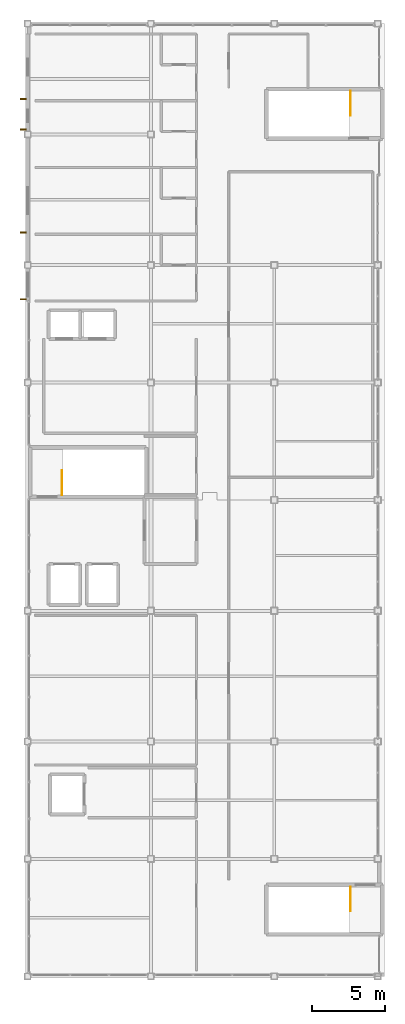
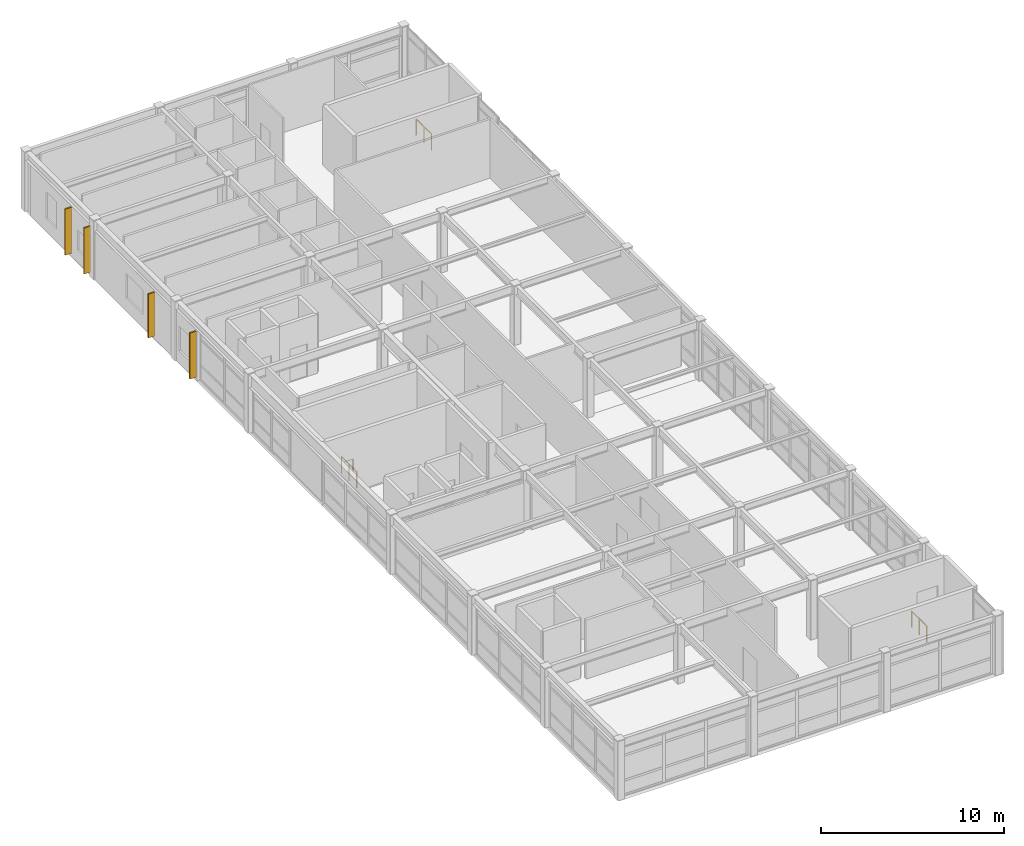
# One storey, part 34 of 34: 4 coverings, 3 railings.
"""IFC4 building model written with IfcOpenShell, lengths in metres."""

from ifc_helpers import new_model, si_unit, direction, frame, origin, origin_2d, place, context, subcontext, project, spatial, rectangle, circle, extrude, material, layer, layer_set, type_object, element, save


model = new_model("IFC4")

# Units and contexts
model_context = context("Model", 3, precision=1e-05, world=origin(), true_north=direction((0.0, 1.0)))
body_context = subcontext(model_context, "Body", "Model", "MODEL_VIEW")
ifc_project = project(units=[si_unit("LENGTHUNIT", "METRE"), si_unit("AREAUNIT", "SQUARE_METRE"), si_unit("VOLUMEUNIT", "CUBIC_METRE"), si_unit("PLANEANGLEUNIT", "RADIAN"), si_unit("MASSUNIT", "GRAM", prefix="KILO")], contexts=[model_context])

# Site, building, storey
site_placement = place(None, origin())
site = spatial("IfcSite", under=ifc_project, at=site_placement, CompositionType="ELEMENT")
building_placement = place(site_placement, origin())
building = spatial("IfcBuilding", under=site, at=building_placement, Name="Kazehara Bluff Congress Hotel", CompositionType="ELEMENT")
storey_placement = place(building_placement, frame((0.0, 0.0, 46.199951171875)))
storey = spatial("IfcBuildingStorey", under=building, at=storey_placement, Name="L11", CompositionType="ELEMENT", Elevation=46.199951171875)

# Coverings
ifc_material_1 = material(Name="Anodised aluminium architectural brise-soleil", Category="aluminium")
ifc_layer = layer(ifc_material_1, 0.090087890625)
ifc_layer_set = layer_set([ifc_layer], Name="Anodised aluminium architectural brise-soleil")
covering_type = type_object("IfcCoveringType", Name="TP-FFN-02", PredefinedType="CLADDING", material=ifc_layer_set)
covering_1_placement = place(storey_placement, frame((143.389892578125, 62.1201171875, 0.20263671875), z_axis=(0.0, 0.0, 1.0), x_axis=(1.0, 0.0, 0.0)))
element("IfcCovering", 1, at=covering_1_placement, inside=storey, type_object=covering_type, Name="L11 architectural vertical fin 91", PredefinedType="CLADDING", context=body_context, shape_type="SweptSolid", body=[
    extrude(rectangle(XDim=0.419921875, YDim=0.090087890625, at=origin_2d()), origin(), (0.0, 0.0, 1.0), 3.074951171875),
])
covering_2_placement = place(storey_placement, frame((143.389892578125, 66.669921875, 0.19775390625), z_axis=(0.0, 0.0, 1.0), x_axis=(1.0, 0.0, 0.0)))
element("IfcCovering", 2, at=covering_2_placement, inside=storey, type_object=covering_type, Name="L11 architectural vertical fin 92", PredefinedType="CLADDING", context=body_context, shape_type="SweptSolid", body=[
    extrude(rectangle(XDim=0.419921875, YDim=0.090087890625, at=origin_2d()), origin(), (0.0, 0.0, 1.0), 2.925048828125),
])
for number, where, z_axis, x_axis, name in (
    (3, (143.389892578125, 73.695068359375, 0.20263671875), (0.0, 0.0, 1.0), (1.0, 0.0, 0.0), "L11 architectural vertical fin 93"),
    (4, (143.389892578125, 75.77001953125, 0.20263671875), (0.0, 0.0, 1.0), (1.0, 0.0, 0.0), "L11 architectural vertical fin 94"),
):
    element("IfcCovering", number, at=place(storey_placement, frame(where, z_axis=z_axis, x_axis=x_axis)), inside=storey, type_object=covering_type, Name=name, PredefinedType="CLADDING", context=body_context, shape_type="SweptSolid", body=[
        extrude(rectangle(XDim=0.419921875, YDim=0.090087890625, at=origin_2d()), origin(), (0.0, 0.0, 1.0), 3.074951171875),
    ])

# Railings
ifc_material_2 = material(Name="Brushed stainless steel", Category="steel")
railing_type = type_object("IfcRailingType", Name="TP-GRD-INT", PredefinedType="GUARDRAIL", material=ifc_material_2)
railing_1_placement = place(storey_placement, frame((165.699951171875, 22.10009765625, 0.0)))
element("IfcRailing", 5, at=railing_1_placement, inside=storey, type_object=railing_type, Name="L11 ST-10 top well guard 1", PredefinedType="GUARDRAIL", context=body_context, shape_type="SweptSolid", body=[
    extrude(circle(Radius=0.02392578125, at=origin_2d()), frame((0.0, 0.0, 1.076171875), z_axis=(0.0, -1.0, 0.0), x_axis=(1.0, 0.0, 0.0)), (0.0, 0.0, 1.0), 1.650146484375),
    extrude(circle(Radius=0.02099609375, at=origin_2d()), origin(), (0.0, 0.0, 1.0), 1.052001953125),
    extrude(circle(Radius=0.02099609375, at=origin_2d()), frame((0.0, -0.8251953125, 0.0)), (0.0, 0.0, 1.0), 1.052001953125),
    extrude(circle(Radius=0.02099609375, at=origin_2d()), frame((0.0, -1.650146484375, 0.0)), (0.0, 0.0, 1.0), 1.052001953125),
])
railing_2_placement = place(storey_placement, frame((146.050048828125, 48.800048828125, 0.0)))
element("IfcRailing", 6, at=railing_2_placement, inside=storey, type_object=railing_type, Name="L11 ST-11 top well guard 1", PredefinedType="GUARDRAIL", context=body_context, shape_type="SweptSolid", body=[
    extrude(circle(Radius=0.02392578125, at=origin_2d()), frame((0.0, 0.0, 1.076171875), z_axis=(0.0, 1.0, 0.0), x_axis=(-1.0, 0.0, 0.0)), (0.0, 0.0, 1.0), 1.64990234375),
    extrude(circle(Radius=0.02099609375, at=origin_2d()), origin(), (0.0, 0.0, 1.0), 1.052001953125),
    extrude(circle(Radius=0.02099609375, at=origin_2d()), frame((0.0, 0.824951171875, 0.0)), (0.0, 0.0, 1.0), 1.052001953125),
    extrude(circle(Radius=0.02099609375, at=origin_2d()), frame((0.0, 1.64990234375, 0.0)), (0.0, 0.0, 1.0), 1.052001953125),
])
railing_3_placement = place(storey_placement, frame((165.699951171875, 76.300048828125, 0.0)))
element("IfcRailing", 7, at=railing_3_placement, inside=storey, type_object=railing_type, Name="L11 ST-12 top well guard 1", PredefinedType="GUARDRAIL", context=body_context, shape_type="SweptSolid", body=[
    extrude(circle(Radius=0.02392578125, at=origin_2d()), frame((0.0, 0.0, 1.076171875), z_axis=(0.0, -1.0, 0.0), x_axis=(1.0, 0.0, 0.0)), (0.0, 0.0, 1.0), 1.650146484375),
    extrude(circle(Radius=0.02099609375, at=origin_2d()), origin(), (0.0, 0.0, 1.0), 1.052001953125),
    extrude(circle(Radius=0.02099609375, at=origin_2d()), frame((0.0, -0.8251953125, 0.0)), (0.0, 0.0, 1.0), 1.052001953125),
    extrude(circle(Radius=0.02099609375, at=origin_2d()), frame((0.0, -1.650146484375, 0.0)), (0.0, 0.0, 1.0), 1.052001953125),
])

save(model, "model.ifc")
